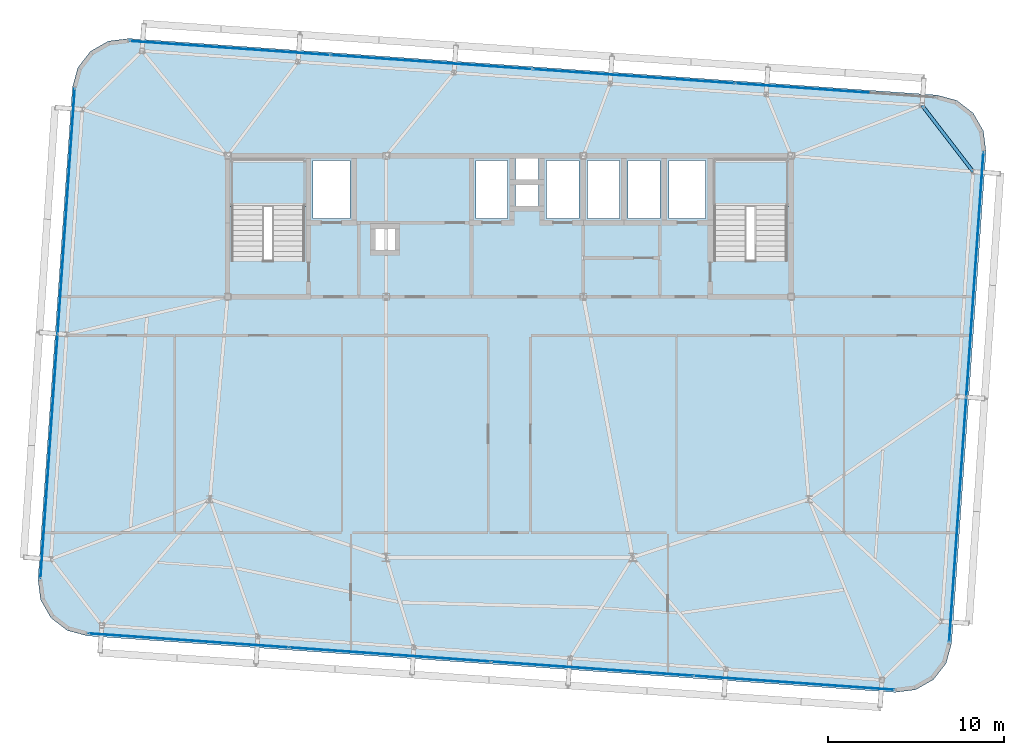
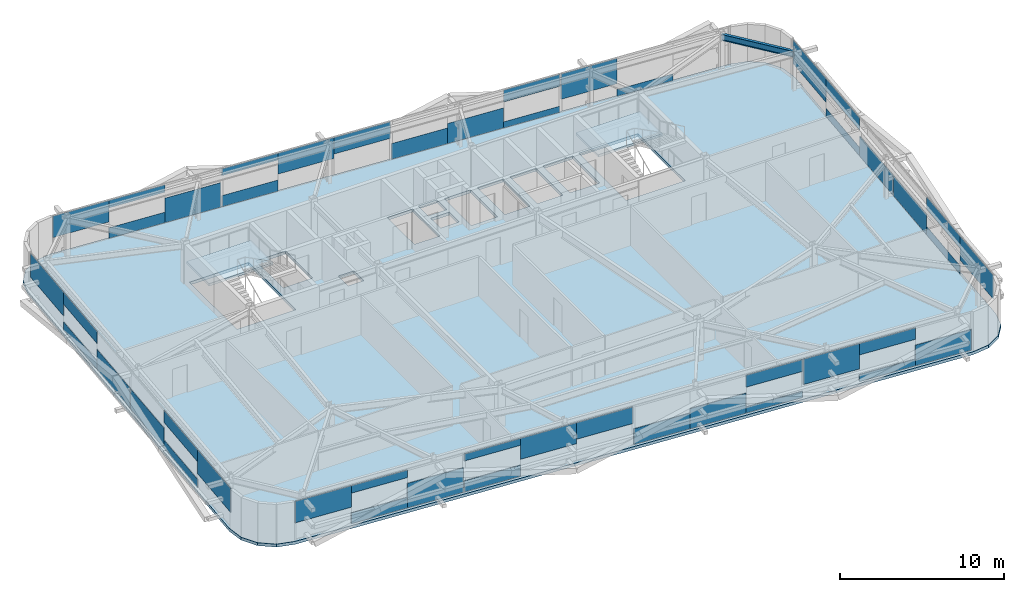
# One storey, part 25 of 39: 46 plates, 3 slabs, 1 beam, 6 elements without a shape of their own.
"""IFC4 building model written with IfcOpenShell, lengths in metres."""

from ifc_helpers import new_model, si_unit, direction, frame, origin, origin_2d, place, context, subcontext, project, spatial, polyline, rectangle, i_section, outline, extrude, source, transform, mapped, material, layer, layer_set, material_profile, profile_set, type_object, element, aggregate, save


model = new_model("IFC4")

# Units and contexts
model_context = context("Model", 3, precision=1e-05, world=origin(), true_north=direction((0.0, 1.0)))
body_context = subcontext(model_context, "Body", "Model", "MODEL_VIEW")
ifc_project = project(units=[si_unit("LENGTHUNIT", "METRE"), si_unit("AREAUNIT", "SQUARE_METRE"), si_unit("VOLUMEUNIT", "CUBIC_METRE"), si_unit("PLANEANGLEUNIT", "RADIAN"), si_unit("MASSUNIT", "GRAM", prefix="KILO")], contexts=[model_context])

# Site, building, storey
site_placement = place(None, origin())
site = spatial("IfcSite", under=ifc_project, at=site_placement, CompositionType="ELEMENT")
building_placement = place(site_placement, origin())
building = spatial("IfcBuilding", under=site, at=building_placement, Name="Taldren Reach Tower", CompositionType="ELEMENT")
storey_placement = place(building_placement, frame((0.0, 0.0, 126.699951171875)))
storey = spatial("IfcBuildingStorey", under=building, at=storey_placement, Name="L38", CompositionType="ELEMENT", Elevation=126.699951171875)

# Beam
ifc_material_1 = material(Name="Steel Gr 350 (350PLUS)", Category="steel")
ifc_material_profile = material_profile(ifc_material_1, i_section(OverallWidth=0.18994140625, OverallDepth=0.4541015625, WebThickness=0.008544921875, FlangeThickness=0.0126953125, at=origin_2d()), Name="460UB67.1")
ifc_profile_set = profile_set([ifc_material_profile], Name="Steel Gr 350 (350PLUS)")
beam_type = type_object("IfcBeamType", Name="SP-UB460B", PredefinedType="SPANDREL", material=ifc_profile_set)
shared_shape_1 = source(origin(), body_context, "Body", "SweptSolid", [
    extrude(i_section(OverallWidth=0.18994140625, OverallDepth=0.4541015625, WebThickness=0.008544921875, FlangeThickness=0.0126953125, at=origin_2d()), origin(), (0.0, 0.0, 1.0), 4.745849609375),
])
beam_placement = place(storey_placement, frame((61.3310546875, 31.1005859375, 2.703125), z_axis=(-0.609904656723, 0.792474800677, 0.0), x_axis=(-0.792474800677, -0.609904656723, 0.0)))
element("IfcBeam", 1, at=beam_placement, inside=storey, type_object=beam_type, Name="Perimeter spandrel B3 E3-N6 L38", PredefinedType="SPANDREL", context=body_context, shape_type="MappedRepresentation", body=[
    mapped(shared_shape_1, transform((0.0, 0.0, 0.0), scale=1.0)),
])

# Slab
ifc_material_2 = material(Name="Concrete N40 (40 MPa)", Category="concrete")
ifc_layer_1 = layer(ifc_material_2, 0.219970703125)
ifc_layer_set_1 = layer_set([ifc_layer_1], Name="Concrete N40 (40 MPa)")
slab_type_1 = type_object("IfcSlabType", Name="SL-FLR-220", PredefinedType="FLOOR", material=ifc_layer_set_1)
slab_1_placement = place(storey_placement, frame((0.0, 0.0, -0.219970703125)))
element("IfcSlab", 2, at=slab_1_placement, inside=storey, type_object=slab_type_1, Name="Suspended floor slab L38", PredefinedType="FLOOR", context=body_context, shape_type="SweptSolid", body=[
    extrude(outline(polyline([(56.908203125, 1.537109375), (58.0693359375, 1.684814453125), (59.08544921875, 2.265625), (59.80224609375, 3.191162109375), (60.110107421875, 4.320556640625), (62.063232421875, 32.252197265625), (61.91552734375, 33.413330078125), (61.334716796875, 34.4296875), (60.4091796875, 35.146240234375), (59.27978515625, 35.4541015625), (13.391845703125, 38.6630859375), (12.230712890625, 38.515380859375), (11.21435546875, 37.934326171875), (10.497802734375, 37.0087890625), (10.18994140625, 35.879638671875), (8.23681640625, 7.94775390625), (8.384521484375, 6.78662109375), (8.96533203125, 5.770263671875), (9.890869140625, 5.0537109375), (11.020263671875, 4.745849609375), (56.908203125, 1.537109375)]), holes=[polyline([(19.219970703125, 26.050048828125), (23.3798828125, 26.050048828125), (23.3798828125, 31.820068359375), (19.219970703125, 31.820068359375), (19.219970703125, 26.050048828125)]), polyline([(46.6201171875, 26.050048828125), (50.780029296875, 26.050048828125), (50.780029296875, 31.820068359375), (46.6201171875, 31.820068359375), (46.6201171875, 26.050048828125)]), polyline([(23.85009765625, 28.449951171875), (25.949951171875, 28.449951171875), (25.949951171875, 31.75), (23.85009765625, 31.75), (23.85009765625, 28.449951171875)]), polyline([(44.050048828125, 28.449951171875), (46.14990234375, 28.449951171875), (46.14990234375, 31.75), (44.050048828125, 31.75), (44.050048828125, 28.449951171875)]), polyline([(33.10009765625, 28.449951171875), (34.89990234375, 28.449951171875), (34.89990234375, 31.75), (33.10009765625, 31.75), (33.10009765625, 28.449951171875)]), polyline([(37.10009765625, 28.449951171875), (38.949951171875, 28.449951171875), (38.949951171875, 31.75), (37.10009765625, 31.75), (37.10009765625, 28.449951171875)]), polyline([(39.449951171875, 28.449951171875), (41.25, 28.449951171875), (41.25, 31.75), (39.449951171875, 31.75), (39.449951171875, 28.449951171875)]), polyline([(41.75, 28.449951171875), (43.550048828125, 28.449951171875), (43.550048828125, 31.75), (41.75, 31.75), (41.75, 28.449951171875)]), polyline([(35.35009765625, 30.64990234375), (36.64990234375, 30.64990234375), (36.64990234375, 31.85009765625), (35.35009765625, 31.85009765625), (35.35009765625, 30.64990234375)]), polyline([(35.35009765625, 29.14990234375), (36.64990234375, 29.14990234375), (36.64990234375, 30.35009765625), (35.35009765625, 30.35009765625), (35.35009765625, 29.14990234375)]), polyline([(27.39990234375, 26.64990234375), (28.5, 26.64990234375), (28.5, 27.85009765625), (27.39990234375, 27.85009765625), (27.39990234375, 26.64990234375)])]), origin(), (0.0, 0.0, 1.0), 0.219970703125),
])

# Stair, slab
ifc_material_3 = material(Name="Concrete S50 (50 MPa)", Category="concrete")
stair_type = type_object("IfcStairType", Name="ST-HT-315", PredefinedType="HALF_TURN_STAIR", material=ifc_material_3)
stair_1_placement = place(storey_placement, origin())
stair_1 = element("IfcStair", 3, at=stair_1_placement, inside=storey, type_object=stair_type, Name="Fire-isolated exit stair ST1 L38", PredefinedType="HALF_TURN_STAIR")
ifc_layer_2 = layer(ifc_material_3, 0.179931640625)
ifc_layer_set_2 = layer_set([ifc_layer_2], Name="Concrete S50 (50 MPa)")
slab_type_2 = type_object("IfcSlabType", Name="SL-LAND-180", PredefinedType="LANDING", material=ifc_layer_set_2)
slab_2_placement = place(storey_placement, frame((0.0, 0.0, 1.39501953125)))
slab_2 = element("IfcSlab", 4, at=slab_2_placement, type_object=slab_type_2, Name="ST1 landing 1", PredefinedType="LANDING", context=body_context, shape_type="SweptSolid", body=[
    extrude(outline(polyline([(19.0400390625, 29.135009765625), (23.56005859375, 29.135009765625), (23.56005859375, 31.8701171875), (19.0400390625, 31.8701171875), (19.0400390625, 29.135009765625)])), origin(), (0.0, 0.0, 1.0), 0.179931640625),
])
aggregate(stair_1, [slab_2])

stair_2_placement = place(storey_placement, origin())
stair_2 = element("IfcStair", 5, at=stair_2_placement, inside=storey, type_object=stair_type, Name="Fire-isolated exit stair ST2 L38", PredefinedType="HALF_TURN_STAIR")
slab_3_placement = place(storey_placement, frame((0.0, 0.0, 1.39501953125)))
slab_3 = element("IfcSlab", 6, at=slab_3_placement, type_object=slab_type_2, Name="ST2 landing 1", PredefinedType="LANDING", context=body_context, shape_type="SweptSolid", body=[
    extrude(outline(polyline([(46.43994140625, 29.135009765625), (50.9599609375, 29.135009765625), (50.9599609375, 31.8701171875), (46.43994140625, 31.8701171875), (46.43994140625, 29.135009765625)])), origin(), (0.0, 0.0, 1.0), 0.179931640625),
])
aggregate(stair_2, [slab_3])

# Curtain wall, plate
ifc_material_4 = material(Name="Aluminium and Low-E Glass Unitised System", Category="aluminium")
ifc_layer_3 = layer(ifc_material_4, 0.159912109375)
ifc_layer_set_3 = layer_set([ifc_layer_3], Name="Aluminium and Low-E Glass Unitised System")
curtain_wall_type = type_object("IfcCurtainWallType", Name="CW-SYS-4", PredefinedType="NOTDEFINED", material=ifc_layer_set_3)
curtain_wall_1_placement = place(storey_placement, origin())
curtain_wall_1 = element("IfcCurtainWall", 7, at=curtain_wall_1_placement, inside=storey, type_object=curtain_wall_type, Name="Unitised curtain wall CW-L38-S", PredefinedType="NOTDEFINED")
ifc_material_5 = material(Name="Solar-Control Double Glazed IGU", Category="glass")
ifc_layer_4 = layer(ifc_material_5, 0.031982421875)
ifc_layer_set_4 = layer_set([ifc_layer_4], Name="Solar-Control Double Glazed IGU")
plate_type = type_object("IfcPlateType", Name="CW-PNL-IGU32", PredefinedType="CURTAIN_PANEL", material=ifc_layer_set_4)
shared_shape_2 = source(origin(), body_context, "Body", "SweptSolid", [
    extrude(rectangle(XDim=3.79833984375, YDim=0.031982421875, at=origin_2d()), origin(), (0.0, 0.0, 1.0), 1.597900390625),
])
plate_1_placement = place(storey_placement, frame((12.994384765625, 4.748046875, 1.27734375), z_axis=(0.0, 0.0, 1.0), x_axis=(0.99756404731, -0.06975651593, 0.0)))
plate_1 = element("IfcPlate", 8, at=plate_1_placement, type_object=plate_type, Name="CW-4 panel 1.1 part 1", PredefinedType="CURTAIN_PANEL", context=body_context, shape_type="MappedRepresentation", body=[
    mapped(shared_shape_2, transform((0.0, 0.0, 0.0), scale=1.0)),
])

curtain_wall_2_placement = place(storey_placement, origin())
curtain_wall_2 = element("IfcCurtainWall", 9, at=curtain_wall_2_placement, inside=storey, type_object=curtain_wall_type, Name="Unitised curtain wall CW-L38-N", PredefinedType="NOTDEFINED")
plate_2_placement = place(storey_placement, frame((15.346435546875, 38.385986328125, 1.27734375), z_axis=(0.0, 0.0, 1.0), x_axis=(-0.99756404731, 0.06975651593, 0.0)))
plate_2 = element("IfcPlate", 10, at=plate_2_placement, type_object=plate_type, Name="CW-4 panel 4.1 part 4", PredefinedType="CURTAIN_PANEL", context=body_context, shape_type="MappedRepresentation", body=[
    mapped(shared_shape_2, transform((0.0, 0.0, 0.0), scale=1.0)),
])

# Plate
shared_shape_3 = source(origin(), body_context, "Body", "SweptSolid", [
    extrude(rectangle(XDim=3.79833984375, YDim=0.031982421875, at=origin_2d()), origin(), (0.0, 0.0, 1.0), 0.787109375),
])
plate_3_placement = place(storey_placement, frame((16.783447265625, 4.483154296875, 0.054931640625), z_axis=(0.0, 0.0, 1.0), x_axis=(0.99756404731, -0.06975651593, 0.0)))
plate_3 = element("IfcPlate", 11, at=plate_3_placement, type_object=plate_type, Name="CW-4 panel 1.1 part 2", PredefinedType="CURTAIN_PANEL", context=body_context, shape_type="MappedRepresentation", body=[
    mapped(shared_shape_3, transform((0.0, 0.0, 0.0), scale=1.0)),
])

plate_4_placement = place(storey_placement, frame((19.135498046875, 38.12109375, 0.054931640625), z_axis=(0.0, 0.0, 1.0), x_axis=(-0.99756404731, 0.06975651593, 0.0)))
plate_4 = element("IfcPlate", 12, at=plate_4_placement, type_object=plate_type, Name="CW-4 panel 4.1 part 2", PredefinedType="CURTAIN_PANEL", context=body_context, shape_type="MappedRepresentation", body=[
    mapped(shared_shape_3, transform((0.0, 0.0, 0.0), scale=1.0)),
])

shared_shape_4 = source(origin(), body_context, "Body", "SweptSolid", [
    extrude(rectangle(XDim=3.79833984375, YDim=0.031982421875, at=origin_2d()), origin(), (0.0, 0.0, 1.0), 0.558349609375),
])
plate_5_placement = place(storey_placement, frame((16.783447265625, 4.483154296875, 2.31689453125), z_axis=(0.0, 0.0, 1.0), x_axis=(0.99756404731, -0.06975651593, 0.0)))
plate_5 = element("IfcPlate", 13, at=plate_5_placement, type_object=plate_type, Name="CW-4 panel 1.1 part 3", PredefinedType="CURTAIN_PANEL", context=body_context, shape_type="MappedRepresentation", body=[
    mapped(shared_shape_4, transform((0.0, 0.0, 0.0), scale=1.0)),
])

plate_6_placement = place(storey_placement, frame((19.135498046875, 38.12109375, 2.31689453125), z_axis=(0.0, 0.0, 1.0), x_axis=(-0.99756404731, 0.06975651593, 0.0)))
plate_6 = element("IfcPlate", 14, at=plate_6_placement, type_object=plate_type, Name="CW-4 panel 4.1 part 3", PredefinedType="CURTAIN_PANEL", context=body_context, shape_type="MappedRepresentation", body=[
    mapped(shared_shape_4, transform((0.0, 0.0, 0.0), scale=1.0)),
])

shared_shape_5 = source(origin(), body_context, "Body", "SweptSolid", [
    extrude(rectangle(XDim=3.79833984375, YDim=0.031982421875, at=origin_2d()), origin(), (0.0, 0.0, 1.0), 1.826416015625),
])
plate_7_placement = place(storey_placement, frame((20.572509765625, 4.21826171875, 0.05517578125), z_axis=(0.0, 0.0, 1.0), x_axis=(0.99756404731, -0.06975651593, 0.0)))
plate_7 = element("IfcPlate", 15, at=plate_7_placement, type_object=plate_type, Name="CW-4 panel 1.1 part 4", PredefinedType="CURTAIN_PANEL", context=body_context, shape_type="MappedRepresentation", body=[
    mapped(shared_shape_5, transform((0.0, 0.0, 0.0), scale=1.0)),
])

plate_8_placement = place(storey_placement, frame((22.924560546875, 37.85595703125, 0.05517578125), z_axis=(0.0, 0.0, 1.0), x_axis=(-0.99756404731, 0.06975651593, 0.0)))
plate_8 = element("IfcPlate", 16, at=plate_8_placement, type_object=plate_type, Name="CW-4 panel 4.1 part 1", PredefinedType="CURTAIN_PANEL", context=body_context, shape_type="MappedRepresentation", body=[
    mapped(shared_shape_5, transform((0.0, 0.0, 0.0), scale=1.0)),
])

shared_shape_6 = source(origin(), body_context, "Body", "SweptSolid", [
    extrude(rectangle(XDim=3.81005859375, YDim=0.031982421875, at=origin_2d()), origin(), (0.0, 0.0, 1.0), 0.8271484375),
])
plate_9_placement = place(storey_placement, frame((24.437255859375, 3.947998046875, 0.05517578125), z_axis=(0.0, 0.0, 1.0), x_axis=(0.99756404731, -0.06975651593, 0.0)))
plate_9 = element("IfcPlate", 17, at=plate_9_placement, type_object=plate_type, Name="CW-4 panel 2.1 part 1", PredefinedType="CURTAIN_PANEL", context=body_context, shape_type="MappedRepresentation", body=[
    mapped(shared_shape_6, transform((0.0, 0.0, 0.0), scale=1.0)),
])

plate_10_placement = place(storey_placement, frame((26.789306640625, 37.585693359375, 0.05517578125), z_axis=(0.0, 0.0, 1.0), x_axis=(-0.99756404731, 0.06975651593, 0.0)))
plate_10 = element("IfcPlate", 18, at=plate_10_placement, type_object=plate_type, Name="CW-4 panel 3.1 part 3", PredefinedType="CURTAIN_PANEL", context=body_context, shape_type="MappedRepresentation", body=[
    mapped(shared_shape_6, transform((0.0, 0.0, 0.0), scale=1.0)),
])

shared_shape_7 = source(origin(), body_context, "Body", "SweptSolid", [
    extrude(rectangle(XDim=3.81005859375, YDim=0.031982421875, at=origin_2d()), origin(), (0.0, 0.0, 1.0), 0.51513671875),
])
plate_11_placement = place(storey_placement, frame((24.437255859375, 3.947998046875, 2.35986328125), z_axis=(0.0, 0.0, 1.0), x_axis=(0.99756404731, -0.06975651593, 0.0)))
plate_11 = element("IfcPlate", 19, at=plate_11_placement, type_object=plate_type, Name="CW-4 panel 2.1 part 2", PredefinedType="CURTAIN_PANEL", context=body_context, shape_type="MappedRepresentation", body=[
    mapped(shared_shape_7, transform((0.0, 0.0, 0.0), scale=1.0)),
])

plate_12_placement = place(storey_placement, frame((26.789306640625, 37.585693359375, 2.35986328125), z_axis=(0.0, 0.0, 1.0), x_axis=(-0.99756404731, 0.06975651593, 0.0)))
plate_12 = element("IfcPlate", 20, at=plate_12_placement, type_object=plate_type, Name="CW-4 panel 3.1 part 4", PredefinedType="CURTAIN_PANEL", context=body_context, shape_type="MappedRepresentation", body=[
    mapped(shared_shape_7, transform((0.0, 0.0, 0.0), scale=1.0)),
])

shared_shape_8 = source(origin(), body_context, "Body", "SweptSolid", [
    extrude(rectangle(XDim=3.81005859375, YDim=0.031982421875, at=origin_2d()), origin(), (0.0, 0.0, 1.0), 1.5576171875),
])
plate_13_placement = place(storey_placement, frame((28.23779296875, 3.68212890625, 1.3173828125), z_axis=(0.0, 0.0, 1.0), x_axis=(0.99756404731, -0.06975651593, 0.0)))
plate_13 = element("IfcPlate", 21, at=plate_13_placement, type_object=plate_type, Name="CW-4 panel 2.1 part 3", PredefinedType="CURTAIN_PANEL", context=body_context, shape_type="MappedRepresentation", body=[
    mapped(shared_shape_8, transform((0.0, 0.0, 0.0), scale=1.0)),
])

plate_14_placement = place(storey_placement, frame((30.590087890625, 37.320068359375, 1.3173828125), z_axis=(0.0, 0.0, 1.0), x_axis=(-0.99756404731, 0.06975651593, 0.0)))
plate_14 = element("IfcPlate", 22, at=plate_14_placement, type_object=plate_type, Name="CW-4 panel 3.1 part 2", PredefinedType="CURTAIN_PANEL", context=body_context, shape_type="MappedRepresentation", body=[
    mapped(shared_shape_8, transform((0.0, 0.0, 0.0), scale=1.0)),
])

shared_shape_9 = source(origin(), body_context, "Body", "SweptSolid", [
    extrude(rectangle(XDim=3.81005859375, YDim=0.031982421875, at=origin_2d()), origin(), (0.0, 0.0, 1.0), 1.23193359375),
])
plate_15_placement = place(storey_placement, frame((32.03857421875, 3.41650390625, 1.64306640625), z_axis=(0.0, 0.0, 1.0), x_axis=(0.99756404731, -0.06975651593, 0.0)))
plate_15 = element("IfcPlate", 23, at=plate_15_placement, type_object=plate_type, Name="CW-4 panel 2.1 part 4", PredefinedType="CURTAIN_PANEL", context=body_context, shape_type="MappedRepresentation", body=[
    mapped(shared_shape_9, transform((0.0, 0.0, 0.0), scale=1.0)),
])

plate_16_placement = place(storey_placement, frame((34.390869140625, 37.05419921875, 1.64306640625), z_axis=(0.0, 0.0, 1.0), x_axis=(-0.99756404731, 0.06975651593, 0.0)))
plate_16 = element("IfcPlate", 24, at=plate_16_placement, type_object=plate_type, Name="CW-4 panel 3.1 part 1", PredefinedType="CURTAIN_PANEL", context=body_context, shape_type="MappedRepresentation", body=[
    mapped(shared_shape_9, transform((0.0, 0.0, 0.0), scale=1.0)),
])

shared_shape_10 = source(origin(), body_context, "Body", "SweptSolid", [
    extrude(rectangle(XDim=3.81005859375, YDim=0.031982421875, at=origin_2d()), origin(), (0.0, 0.0, 1.0), 1.172119140625),
])
plate_17_placement = place(storey_placement, frame((35.9091796875, 3.145751953125, 0.05517578125), z_axis=(0.0, 0.0, 1.0), x_axis=(0.99756404731, -0.06975651593, 0.0)))
plate_17 = element("IfcPlate", 25, at=plate_17_placement, type_object=plate_type, Name="CW-4 panel 3.1 part 1", PredefinedType="CURTAIN_PANEL", context=body_context, shape_type="MappedRepresentation", body=[
    mapped(shared_shape_10, transform((0.0, 0.0, 0.0), scale=1.0)),
])

plate_18_placement = place(storey_placement, frame((38.261474609375, 36.78369140625, 0.05517578125), z_axis=(0.0, 0.0, 1.0), x_axis=(-0.99756404731, 0.06975651593, 0.0)))
plate_18 = element("IfcPlate", 26, at=plate_18_placement, type_object=plate_type, Name="CW-4 panel 2.1 part 4", PredefinedType="CURTAIN_PANEL", context=body_context, shape_type="MappedRepresentation", body=[
    mapped(shared_shape_10, transform((0.0, 0.0, 0.0), scale=1.0)),
])

shared_shape_11 = source(origin(), body_context, "Body", "SweptSolid", [
    extrude(rectangle(XDim=3.81005859375, YDim=0.031982421875, at=origin_2d()), origin(), (0.0, 0.0, 1.0), 1.497802734375),
])
plate_19_placement = place(storey_placement, frame((39.7099609375, 2.8798828125, 0.05517578125), z_axis=(0.0, 0.0, 1.0), x_axis=(0.99756404731, -0.06975651593, 0.0)))
plate_19 = element("IfcPlate", 27, at=plate_19_placement, type_object=plate_type, Name="CW-4 panel 3.1 part 2", PredefinedType="CURTAIN_PANEL", context=body_context, shape_type="MappedRepresentation", body=[
    mapped(shared_shape_11, transform((0.0, 0.0, 0.0), scale=1.0)),
])

plate_20_placement = place(storey_placement, frame((42.06201171875, 36.517822265625, 0.05517578125), z_axis=(0.0, 0.0, 1.0), x_axis=(-0.99756404731, 0.06975651593, 0.0)))
plate_20 = element("IfcPlate", 28, at=plate_20_placement, type_object=plate_type, Name="CW-4 panel 2.1 part 3", PredefinedType="CURTAIN_PANEL", context=body_context, shape_type="MappedRepresentation", body=[
    mapped(shared_shape_11, transform((0.0, 0.0, 0.0), scale=1.0)),
])

shared_shape_12 = source(origin(), body_context, "Body", "SweptSolid", [
    extrude(rectangle(XDim=3.81005859375, YDim=0.031982421875, at=origin_2d()), origin(), (0.0, 0.0, 1.0), 0.455078125),
])
plate_21_placement = place(storey_placement, frame((43.510498046875, 2.6142578125, 0.054931640625), z_axis=(0.0, 0.0, 1.0), x_axis=(0.99756404731, -0.06975651593, 0.0)))
plate_21 = element("IfcPlate", 29, at=plate_21_placement, type_object=plate_type, Name="CW-4 panel 3.1 part 3", PredefinedType="CURTAIN_PANEL", context=body_context, shape_type="MappedRepresentation", body=[
    mapped(shared_shape_12, transform((0.0, 0.0, 0.0), scale=1.0)),
])

plate_22_placement = place(storey_placement, frame((45.86279296875, 36.251953125, 0.054931640625), z_axis=(0.0, 0.0, 1.0), x_axis=(-0.99756404731, 0.06975651593, 0.0)))
plate_22 = element("IfcPlate", 30, at=plate_22_placement, type_object=plate_type, Name="CW-4 panel 2.1 part 1", PredefinedType="CURTAIN_PANEL", context=body_context, shape_type="MappedRepresentation", body=[
    mapped(shared_shape_12, transform((0.0, 0.0, 0.0), scale=1.0)),
])

shared_shape_13 = source(origin(), body_context, "Body", "SweptSolid", [
    extrude(rectangle(XDim=3.81005859375, YDim=0.031982421875, at=origin_2d()), origin(), (0.0, 0.0, 1.0), 0.88720703125),
])
plate_23_placement = place(storey_placement, frame((43.510498046875, 2.6142578125, 1.98779296875), z_axis=(0.0, 0.0, 1.0), x_axis=(0.99756404731, -0.06975651593, 0.0)))
plate_23 = element("IfcPlate", 31, at=plate_23_placement, type_object=plate_type, Name="CW-4 panel 3.1 part 4", PredefinedType="CURTAIN_PANEL", context=body_context, shape_type="MappedRepresentation", body=[
    mapped(shared_shape_13, transform((0.0, 0.0, 0.0), scale=1.0)),
])

plate_24_placement = place(storey_placement, frame((45.86279296875, 36.251953125, 1.98779296875), z_axis=(0.0, 0.0, 1.0), x_axis=(-0.99756404731, 0.06975651593, 0.0)))
plate_24 = element("IfcPlate", 32, at=plate_24_placement, type_object=plate_type, Name="CW-4 panel 2.1 part 2", PredefinedType="CURTAIN_PANEL", context=body_context, shape_type="MappedRepresentation", body=[
    mapped(shared_shape_13, transform((0.0, 0.0, 0.0), scale=1.0)),
])

shared_shape_14 = source(origin(), body_context, "Body", "SweptSolid", [
    extrude(rectangle(XDim=3.79833984375, YDim=0.031982421875, at=origin_2d()), origin(), (0.0, 0.0, 1.0), 1.886474609375),
])
plate_25_placement = place(storey_placement, frame((47.375244140625, 2.343994140625, 0.98876953125), z_axis=(0.0, 0.0, 1.0), x_axis=(0.99756404731, -0.06975651593, 0.0)))
plate_25 = element("IfcPlate", 33, at=plate_25_placement, type_object=plate_type, Name="CW-4 panel 4.1 part 1", PredefinedType="CURTAIN_PANEL", context=body_context, shape_type="MappedRepresentation", body=[
    mapped(shared_shape_14, transform((0.0, 0.0, 0.0), scale=1.0)),
])

plate_26_placement = place(storey_placement, frame((49.7275390625, 35.981689453125, 0.98876953125), z_axis=(0.0, 0.0, 1.0), x_axis=(-0.99756404731, 0.06975651593, 0.0)))
plate_26 = element("IfcPlate", 34, at=plate_26_placement, type_object=plate_type, Name="CW-4 panel 1.1 part 4", PredefinedType="CURTAIN_PANEL", context=body_context, shape_type="MappedRepresentation", body=[
    mapped(shared_shape_14, transform((0.0, 0.0, 0.0), scale=1.0)),
])

shared_shape_15 = source(origin(), body_context, "Body", "SweptSolid", [
    extrude(rectangle(XDim=3.79833984375, YDim=0.031982421875, at=origin_2d()), origin(), (0.0, 0.0, 1.0), 0.498291015625),
])
plate_27_placement = place(storey_placement, frame((51.16455078125, 2.0791015625, 0.05517578125), z_axis=(0.0, 0.0, 1.0), x_axis=(0.99756404731, -0.06975651593, 0.0)))
plate_27 = element("IfcPlate", 35, at=plate_27_placement, type_object=plate_type, Name="CW-4 panel 4.1 part 2", PredefinedType="CURTAIN_PANEL", context=body_context, shape_type="MappedRepresentation", body=[
    mapped(shared_shape_15, transform((0.0, 0.0, 0.0), scale=1.0)),
])

plate_28_placement = place(storey_placement, frame((53.5166015625, 35.716796875, 0.05517578125), z_axis=(0.0, 0.0, 1.0), x_axis=(-0.99756404731, 0.06975651593, 0.0)))
plate_28 = element("IfcPlate", 36, at=plate_28_placement, type_object=plate_type, Name="CW-4 panel 1.1 part 2", PredefinedType="CURTAIN_PANEL", context=body_context, shape_type="MappedRepresentation", body=[
    mapped(shared_shape_15, transform((0.0, 0.0, 0.0), scale=1.0)),
])

aggregate(curtain_wall_2, [plate_28, plate_26, plate_22, plate_24, plate_20, plate_18, plate_16, plate_14, plate_10, plate_12, plate_8, plate_4, plate_6, plate_2])

shared_shape_16 = source(origin(), body_context, "Body", "SweptSolid", [
    extrude(rectangle(XDim=3.79833984375, YDim=0.031982421875, at=origin_2d()), origin(), (0.0, 0.0, 1.0), 0.84716796875),
])
plate_29_placement = place(storey_placement, frame((51.16455078125, 2.0791015625, 2.02783203125), z_axis=(0.0, 0.0, 1.0), x_axis=(0.99756404731, -0.06975651593, 0.0)))
plate_29 = element("IfcPlate", 37, at=plate_29_placement, type_object=plate_type, Name="CW-4 panel 4.1 part 3", PredefinedType="CURTAIN_PANEL", context=body_context, shape_type="MappedRepresentation", body=[
    mapped(shared_shape_16, transform((0.0, 0.0, 0.0), scale=1.0)),
])

shared_shape_17 = source(origin(), body_context, "Body", "SweptSolid", [
    extrude(rectangle(XDim=3.79833984375, YDim=0.031982421875, at=origin_2d()), origin(), (0.0, 0.0, 1.0), 1.537841796875),
])
plate_30_placement = place(storey_placement, frame((54.95361328125, 1.81396484375, 0.05517578125), z_axis=(0.0, 0.0, 1.0), x_axis=(0.99756404731, -0.06975651593, 0.0)))
plate_30 = element("IfcPlate", 38, at=plate_30_placement, type_object=plate_type, Name="CW-4 panel 4.1 part 4", PredefinedType="CURTAIN_PANEL", context=body_context, shape_type="MappedRepresentation", body=[
    mapped(shared_shape_17, transform((0.0, 0.0, 0.0), scale=1.0)),
])

aggregate(curtain_wall_1, [plate_1, plate_3, plate_5, plate_7, plate_9, plate_11, plate_13, plate_15, plate_17, plate_19, plate_21, plate_23, plate_25, plate_27, plate_29, plate_30])

# Curtain wall, plates
curtain_wall_3_placement = place(storey_placement, origin())
curtain_wall_3 = element("IfcCurtainWall", 39, at=curtain_wall_3_placement, inside=storey, type_object=curtain_wall_type, Name="Unitised curtain wall CW-L38-W", PredefinedType="NOTDEFINED")
shared_shape_18 = source(origin(), body_context, "Body", "SweptSolid", [
    extrude(rectangle(XDim=4.631591796875, YDim=0.031982421875, at=origin_2d()), origin(), (0.0, 0.0, 1.0), 1.776611328125),
])
plate_31_placement = place(storey_placement, frame((10.1630859375, 33.48974609375, 1.0986328125), z_axis=(0.0, 0.0, 1.0), x_axis=(-0.069756437251, -0.997564052812, 0.0)))
plate_31 = element("IfcPlate", 40, at=plate_31_placement, type_object=plate_type, Name="CW-4 panel 1.1 part 1", PredefinedType="CURTAIN_PANEL", context=body_context, shape_type="MappedRepresentation", body=[
    mapped(shared_shape_18, transform((0.0, 0.0, 0.0), scale=1.0)),
])
plate_32_placement = place(storey_placement, frame((8.542724609375, 10.318115234375, 1.0986328125), z_axis=(0.0, 0.0, 1.0), x_axis=(-0.069756437251, -0.997564052812, 0.0)))
plate_32 = element("IfcPlate", 41, at=plate_32_placement, type_object=plate_type, Name="CW-4 panel 2.1 part 4", PredefinedType="CURTAIN_PANEL", context=body_context, shape_type="MappedRepresentation", body=[
    mapped(shared_shape_18, transform((0.0, 0.0, 0.0), scale=1.0)),
])

curtain_wall_4_placement = place(storey_placement, origin())
curtain_wall_4 = element("IfcCurtainWall", 42, at=curtain_wall_4_placement, inside=storey, type_object=curtain_wall_type, Name="Unitised curtain wall CW-L38-E", PredefinedType="NOTDEFINED")
plate_33_placement = place(storey_placement, frame((60.136962890625, 6.710205078125, 1.0986328125), z_axis=(0.0, 0.0, 1.0), x_axis=(0.069756437251, 0.997564052812, 0.0)))
plate_33 = element("IfcPlate", 43, at=plate_33_placement, type_object=plate_type, Name="CW-4 panel 1.1 part 1", PredefinedType="CURTAIN_PANEL", context=body_context, shape_type="MappedRepresentation", body=[
    mapped(shared_shape_18, transform((0.0, 0.0, 0.0), scale=1.0)),
])
plate_34_placement = place(storey_placement, frame((61.757080078125, 29.882080078125, 1.0986328125), z_axis=(0.0, 0.0, 1.0), x_axis=(0.069756437251, 0.997564052812, 0.0)))
plate_34 = element("IfcPlate", 44, at=plate_34_placement, type_object=plate_type, Name="CW-4 panel 2.1 part 4", PredefinedType="CURTAIN_PANEL", context=body_context, shape_type="MappedRepresentation", body=[
    mapped(shared_shape_18, transform((0.0, 0.0, 0.0), scale=1.0)),
])

# Plate
shared_shape_19 = source(origin(), body_context, "Body", "SweptSolid", [
    extrude(rectangle(XDim=4.631591796875, YDim=0.031982421875, at=origin_2d()), origin(), (0.0, 0.0, 1.0), 0.6162109375),
])
plate_35_placement = place(storey_placement, frame((9.840087890625, 28.869384765625, 0.054931640625), z_axis=(0.0, 0.0, 1.0), x_axis=(-0.069756437251, -0.997564052812, 0.0)))
plate_35 = element("IfcPlate", 45, at=plate_35_placement, type_object=plate_type, Name="CW-4 panel 1.1 part 2", PredefinedType="CURTAIN_PANEL", context=body_context, shape_type="MappedRepresentation", body=[
    mapped(shared_shape_19, transform((0.0, 0.0, 0.0), scale=1.0)),
])

plate_36_placement = place(storey_placement, frame((8.865966796875, 14.9384765625, 0.054931640625), z_axis=(0.0, 0.0, 1.0), x_axis=(-0.069756437251, -0.997564052812, 0.0)))
plate_36 = element("IfcPlate", 46, at=plate_36_placement, type_object=plate_type, Name="CW-4 panel 2.1 part 2", PredefinedType="CURTAIN_PANEL", context=body_context, shape_type="MappedRepresentation", body=[
    mapped(shared_shape_19, transform((0.0, 0.0, 0.0), scale=1.0)),
])

plate_37_placement = place(storey_placement, frame((60.4599609375, 11.33056640625, 0.054931640625), z_axis=(0.0, 0.0, 1.0), x_axis=(0.069756437251, 0.997564052812, 0.0)))
plate_37 = element("IfcPlate", 47, at=plate_37_placement, type_object=plate_type, Name="CW-4 panel 1.1 part 2", PredefinedType="CURTAIN_PANEL", context=body_context, shape_type="MappedRepresentation", body=[
    mapped(shared_shape_19, transform((0.0, 0.0, 0.0), scale=1.0)),
])

plate_38_placement = place(storey_placement, frame((61.43408203125, 25.261474609375, 0.054931640625), z_axis=(0.0, 0.0, 1.0), x_axis=(0.069756437251, 0.997564052812, 0.0)))
plate_38 = element("IfcPlate", 48, at=plate_38_placement, type_object=plate_type, Name="CW-4 panel 2.1 part 2", PredefinedType="CURTAIN_PANEL", context=body_context, shape_type="MappedRepresentation", body=[
    mapped(shared_shape_19, transform((0.0, 0.0, 0.0), scale=1.0)),
])

shared_shape_20 = source(origin(), body_context, "Body", "SweptSolid", [
    extrude(rectangle(XDim=4.631591796875, YDim=0.031982421875, at=origin_2d()), origin(), (0.0, 0.0, 1.0), 0.897216796875),
])
plate_39_placement = place(storey_placement, frame((9.840087890625, 28.869384765625, 1.97802734375), z_axis=(0.0, 0.0, 1.0), x_axis=(-0.069756437251, -0.997564052812, 0.0)))
plate_39 = element("IfcPlate", 49, at=plate_39_placement, type_object=plate_type, Name="CW-4 panel 1.1 part 3", PredefinedType="CURTAIN_PANEL", context=body_context, shape_type="MappedRepresentation", body=[
    mapped(shared_shape_20, transform((0.0, 0.0, 0.0), scale=1.0)),
])

plate_40_placement = place(storey_placement, frame((8.865966796875, 14.9384765625, 1.97802734375), z_axis=(0.0, 0.0, 1.0), x_axis=(-0.069756437251, -0.997564052812, 0.0)))
plate_40 = element("IfcPlate", 50, at=plate_40_placement, type_object=plate_type, Name="CW-4 panel 2.1 part 3", PredefinedType="CURTAIN_PANEL", context=body_context, shape_type="MappedRepresentation", body=[
    mapped(shared_shape_20, transform((0.0, 0.0, 0.0), scale=1.0)),
])

plate_41_placement = place(storey_placement, frame((60.4599609375, 11.33056640625, 1.97802734375), z_axis=(0.0, 0.0, 1.0), x_axis=(0.069756437251, 0.997564052812, 0.0)))
plate_41 = element("IfcPlate", 51, at=plate_41_placement, type_object=plate_type, Name="CW-4 panel 1.1 part 3", PredefinedType="CURTAIN_PANEL", context=body_context, shape_type="MappedRepresentation", body=[
    mapped(shared_shape_20, transform((0.0, 0.0, 0.0), scale=1.0)),
])

plate_42_placement = place(storey_placement, frame((61.43408203125, 25.261474609375, 1.97802734375), z_axis=(0.0, 0.0, 1.0), x_axis=(0.069756437251, 0.997564052812, 0.0)))
plate_42 = element("IfcPlate", 52, at=plate_42_placement, type_object=plate_type, Name="CW-4 panel 2.1 part 3", PredefinedType="CURTAIN_PANEL", context=body_context, shape_type="MappedRepresentation", body=[
    mapped(shared_shape_20, transform((0.0, 0.0, 0.0), scale=1.0)),
])

shared_shape_21 = source(origin(), body_context, "Body", "SweptSolid", [
    extrude(rectangle(XDim=4.631591796875, YDim=0.031982421875, at=origin_2d()), origin(), (0.0, 0.0, 1.0), 1.495361328125),
])
plate_43_placement = place(storey_placement, frame((9.51708984375, 24.2490234375, 0.05517578125), z_axis=(0.0, 0.0, 1.0), x_axis=(-0.069756437251, -0.997564052812, 0.0)))
plate_43 = element("IfcPlate", 53, at=plate_43_placement, type_object=plate_type, Name="CW-4 panel 1.1 part 4", PredefinedType="CURTAIN_PANEL", context=body_context, shape_type="MappedRepresentation", body=[
    mapped(shared_shape_21, transform((0.0, 0.0, 0.0), scale=1.0)),
])

plate_44_placement = place(storey_placement, frame((9.18896484375, 19.558837890625, 0.05517578125), z_axis=(0.0, 0.0, 1.0), x_axis=(-0.069756437251, -0.997564052812, 0.0)))
plate_44 = element("IfcPlate", 54, at=plate_44_placement, type_object=plate_type, Name="CW-4 panel 2.1 part 1", PredefinedType="CURTAIN_PANEL", context=body_context, shape_type="MappedRepresentation", body=[
    mapped(shared_shape_21, transform((0.0, 0.0, 0.0), scale=1.0)),
])

aggregate(curtain_wall_3, [plate_31, plate_35, plate_39, plate_43, plate_44, plate_36, plate_40, plate_32])

plate_45_placement = place(storey_placement, frame((60.782958984375, 15.950927734375, 0.05517578125), z_axis=(0.0, 0.0, 1.0), x_axis=(0.069756437251, 0.997564052812, 0.0)))
plate_45 = element("IfcPlate", 55, at=plate_45_placement, type_object=plate_type, Name="CW-4 panel 1.1 part 4", PredefinedType="CURTAIN_PANEL", context=body_context, shape_type="MappedRepresentation", body=[
    mapped(shared_shape_21, transform((0.0, 0.0, 0.0), scale=1.0)),
])

plate_46_placement = place(storey_placement, frame((61.111083984375, 20.64111328125, 0.05517578125), z_axis=(0.0, 0.0, 1.0), x_axis=(0.069756437251, 0.997564052812, 0.0)))
plate_46 = element("IfcPlate", 56, at=plate_46_placement, type_object=plate_type, Name="CW-4 panel 2.1 part 1", PredefinedType="CURTAIN_PANEL", context=body_context, shape_type="MappedRepresentation", body=[
    mapped(shared_shape_21, transform((0.0, 0.0, 0.0), scale=1.0)),
])

aggregate(curtain_wall_4, [plate_33, plate_37, plate_41, plate_45, plate_46, plate_38, plate_42, plate_34])

save(model, "model.ifc")
